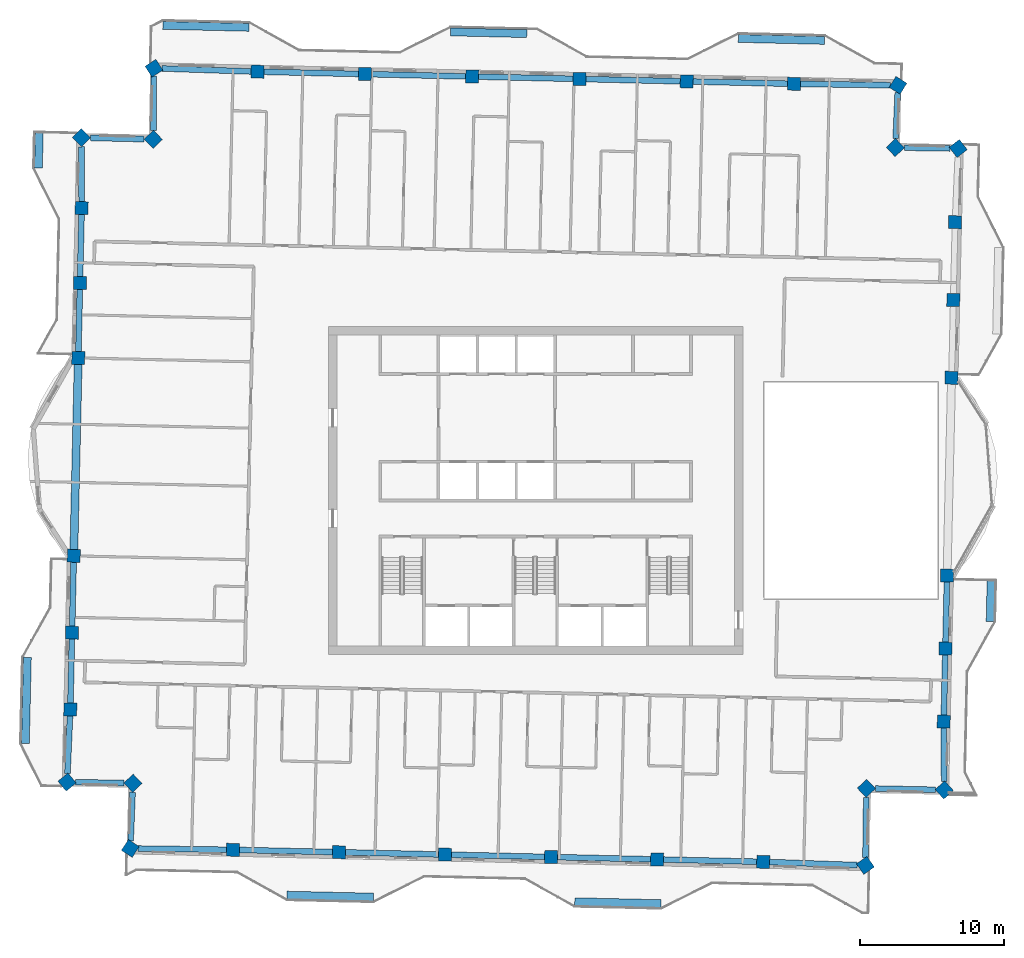
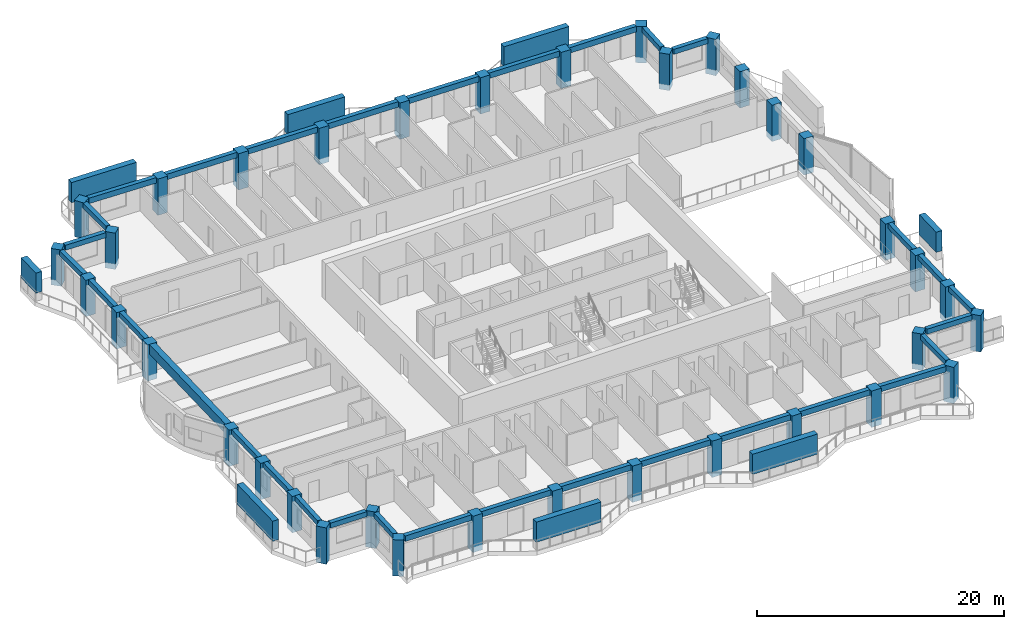
# One storey, part 1 of 15: 36 columns, 32 beams, 8 members.
"""IFC4 building model written with IfcOpenShell, lengths in metres."""

from ifc_helpers import new_model, si_unit, direction, frame, origin, origin_2d, place, context, subcontext, project, spatial, rectangle, extrude, material, material_profile, profile_set, type_object, element, save


model = new_model("IFC4")

# Units and contexts
model_context = context("Model", 3, precision=1e-05, world=origin(), true_north=direction((0.0, 1.0)))
body_context = subcontext(model_context, "Body", "Model", "MODEL_VIEW")
ifc_project = project(units=[si_unit("LENGTHUNIT", "METRE"), si_unit("AREAUNIT", "SQUARE_METRE"), si_unit("VOLUMEUNIT", "CUBIC_METRE"), si_unit("PLANEANGLEUNIT", "RADIAN"), si_unit("MASSUNIT", "GRAM", prefix="KILO")], contexts=[model_context])

# Site, building, storey
site_placement = place(None, origin())
site = spatial("IfcSite", under=ifc_project, at=site_placement, CompositionType="ELEMENT")
building_placement = place(site_placement, origin())
building = spatial("IfcBuilding", under=site, at=building_placement, Name="Mangrove Gate Tower", CompositionType="ELEMENT")
storey_placement = place(building_placement, frame((0.0, 0.0, 306.10009765625)))
storey = spatial("IfcBuildingStorey", under=building, at=storey_placement, Name="L78", CompositionType="ELEMENT", Elevation=306.10009765625)

# Columns
ifc_material_1 = material(Name="Concrete C50/60", Category="concrete")
ifc_material_profile_1 = material_profile(ifc_material_1, rectangle(XDim=0.89990234375, YDim=0.89990234375, at=origin_2d()))
ifc_profile_set_1 = profile_set([ifc_material_profile_1], Name="Concrete C50/60")
column_type = type_object("IfcColumnType", Name="Column RC 900x900 C50/60", PredefinedType="COLUMN", material=ifc_profile_set_1)
for number, where, z_axis, x_axis, name in (
    (1, (-32.09814453125, -4.53515625, -0.550048828125), (0.0, 0.0, 1.0), (-0.022679760793, -0.999742781144, 0.0), "Column L78 W06"),
    (2, (-32.218994140625, -9.875244140625, -0.550048828125), (0.0, 0.0, 1.0), (-0.022653360746, -0.999743379696, 0.0), "Column L78 W07"),
    (3, (-32.340087890625, -15.21533203125, -0.550048828125), (0.0, 0.0, 1.0), (-0.022746921185, -0.999741255314, 0.0), "Column L78 W08"),
    (4, (-32.564453125, -20.25927734375, -0.550048828125), (0.0, 0.0, 1.0), (0.63510539695, -0.772425488164, 0.0), "Column L78 W09"),
    (5, (-27.987548828125, -20.339111328125, -0.550048828125), (0.0, 0.0, 1.0), (0.690863130287, -0.722985570541, 0.0), "Column L78 W10"),
    (6, (-28.170166015625, -24.872802734375, -0.550048828125), (0.0, 0.0, 1.0), (0.836135337265, -0.548523197118, 0.0), "Column L78 S01"),
    (7, (-21.037841796875, -24.966064453125, -0.550048828125), (0.0, 0.0, 1.0), (0.999743338971, -0.022655157973, 0.0), "Column L78 S02"),
    (8, (-13.667724609375, -25.133056640625, -0.550048828125), (0.0, 0.0, 1.0), (0.999743338971, -0.022655157973, 0.0), "Column L78 S03"),
    (9, (-6.298828125, -25.300048828125, -0.550048828125), (0.0, 0.0, 1.0), (0.999743338971, -0.022655157973, 0.0), "Column L78 S04"),
    (10, (1.0712890625, -25.467041015625, -0.550048828125), (0.0, 0.0, 1.0), (0.999741800516, -0.02272294656, 0.0), "Column L78 S05"),
    (11, (8.440185546875, -25.635009765625, -0.550048828125), (0.0, 0.0, 1.0), (0.999741800516, -0.02272294656, 0.0), "Column L78 S06"),
    (12, (15.810302734375, -25.802001953125, -0.550048828125), (0.0, 0.0, 1.0), (0.999743373766, -0.022653622478, 0.0), "Column L78 S07"),
    (13, (22.912353515625, -26.050048828125, -0.550048828125), (0.0, 0.0, 1.0), (0.81992028728, 0.572477704812, 0.0), "Column L78 S08"),
    (14, (22.981201171875, -20.695556640625, -0.550048828125), (0.0, 0.0, 1.0), (0.722965976266, 0.690883635037, 0.0), "Column L78 E01"),
    (15, (28.390380859375, -20.80810546875, -0.550048828125), (0.0, 0.0, 1.0), (0.744004906603, 0.66817415316, 0.0), "Column L78 E02"),
    (16, (28.356201171875, -16.058837890625, -0.550048828125), (0.0, 0.0, 1.0), (0.022660985877, 0.999743206888, 0.0), "Column L78 E03"),
    (17, (28.47119140625, -10.98583984375, -0.550048828125), (0.0, 0.0, 1.0), (0.022660985877, 0.999743206888, 0.0), "Column L78 E04"),
    (18, (28.586181640625, -5.911865234375, -0.550048828125), (0.0, 0.0, 1.0), (0.022681592917, 0.99974273958, 0.0), "Column L78 E05"),
    (19, (28.898193359375, 7.835205078125, -0.550048828125), (0.0, 0.0, 1.0), (0.022704799818, 0.999742212805, 0.0), "Column L78 E06"),
    (20, (29.02099609375, 13.2421875, -0.550048828125), (0.0, 0.0, 1.0), (0.022652104431, 0.999743408163, 0.0), "Column L78 E07"),
    (21, (29.14306640625, 18.648193359375, -0.550048828125), (0.0, 0.0, 1.0), (0.022652104431, 0.999743408163, 0.0), "Column L78 E08"),
    (22, (29.360595703125, 23.76904296875, -0.550048828125), (0.0, 0.0, 1.0), (-0.613294984085, 0.789853950104, 0.0), "Column L78 E09"),
    (23, (24.99169921875, 23.834228515625, -0.550048828125), (0.0, 0.0, 1.0), (-0.690854032309, 0.722994264183, 0.0), "Column L78 E10"),
    (24, (25.1796875, 28.16162109375, -0.550048828125), (0.0, 0.0, 1.0), (-0.849493800932, 0.527598599484, 0.0), "Column L78 N01"),
    (25, (17.951904296875, 28.26318359375, -0.550048828125), (0.0, 0.0, 1.0), (-0.999743149141, 0.022663533403, 0.0), "Column L78 N02"),
    (26, (10.496826171875, 28.43212890625, -0.550048828125), (0.0, 0.0, 1.0), (-0.999741662484, 0.022729018737, 0.0), "Column L78 N03"),
    (27, (3.040771484375, 28.60205078125, -0.550048828125), (0.0, 0.0, 1.0), (-0.999741662484, 0.022729018737, 0.0), "Column L78 N04"),
    (28, (-4.414306640625, 28.77099609375, -0.550048828125), (0.0, 0.0, 1.0), (-0.999743149141, 0.022663533403, 0.0), "Column L78 N05"),
    (29, (-11.869140625, 28.940185546875, -0.550048828125), (0.0, 0.0, 1.0), (-0.999743149141, 0.022663533403, 0.0), "Column L78 N06"),
    (30, (-19.32421875, 29.109130859375, -0.550048828125), (0.0, 0.0, 1.0), (-0.999743149141, 0.022663533403, 0.0), "Column L78 N07"),
    (31, (-26.52685546875, 29.3486328125, -0.550048828125), (0.0, 0.0, 1.0), (-0.843037190886, -0.537855273082, 0.0), "Column L78 N08"),
    (32, (-26.572021484375, 24.404541015625, -0.550048828125), (0.0, 0.0, 1.0), (-0.723044060513, -0.690801915571, 0.0), "Column L78 W01"),
    (33, (-31.564453125, 24.524169921875, -0.550048828125), (0.0, 0.0, 1.0), (-0.708697722555, -0.70551225223, 0.0), "Column L78 W02"),
    (34, (-31.550048828125, 19.625732421875, -0.550048828125), (0.0, 0.0, 1.0), (-0.022655978068, -0.999743320387, 0.0), "Column L78 W03"),
    (35, (-31.668212890625, 14.418701171875, -0.550048828125), (0.0, 0.0, 1.0), (-0.022655978068, -0.999743320387, 0.0), "Column L78 W04"),
    (36, (-31.7861328125, 9.2119140625, -0.550048828125), (0.0, 0.0, 1.0), (-0.022680668131, -0.999742760561, 0.0), "Column L78 W05"),
):
    element("IfcColumn", number, at=place(storey_placement, frame(where, z_axis=z_axis, x_axis=x_axis)), inside=storey, type_object=column_type, Name=name, PredefinedType="COLUMN", context=body_context, shape_type="SweptSolid", body=[
        extrude(rectangle(XDim=0.89990234375, YDim=0.89990234375, at=origin_2d()), origin(), (0.0, 0.0, 1.0), 3.599853515625),
    ])

# Members
ifc_material_2 = material(Name="Planting on aluminium trellis", Category="aluminium")
ifc_material_profile_2 = material_profile(ifc_material_2, rectangle(XDim=0.550048828125, YDim=2.0, at=origin_2d()))
ifc_profile_set_2 = profile_set([ifc_material_profile_2], Name="Planting on aluminium trellis")
member_type = type_object("IfcMemberType", Name="Balcony greenery screen 550x2000", PredefinedType="USERDEFINED", material=ifc_profile_set_2)
member_1_placement = place(storey_placement, frame((31.580078125, -9.10595703125, 1.7998046875), z_axis=(0.022590224177, 0.999744808324, 0.0), x_axis=(-0.999744808324, 0.022590224177, 0.0)))
element("IfcMember", 37, at=member_1_placement, inside=storey, type_object=member_type, Name="GREEN SCREEN L78 E0.1", ObjectType="PLANTING", PredefinedType="USERDEFINED", context=body_context, shape_type="SweptSolid", body=[
    extrude(rectangle(XDim=0.550048828125, YDim=2.0, at=origin_2d()), origin(), (0.0, 0.0, 1.0), 2.874755859375),
])
for number, where, z_axis, x_axis, name in (
    (38, (14.080078125, 31.4169921875, 1.7998046875), (0.999743073592, -0.022666865795, 0.0), (0.022666865795, 0.999743073592, 0.0), "GREEN SCREEN L78 N0.1"),
    (39, (-25.909912109375, 32.323974609375, 1.7998046875), (0.999743073592, -0.022666865795, 0.0), (0.022666865795, 0.999743073592, 0.0), "GREEN SCREEN L78 N1.1"),
):
    element("IfcMember", number, at=place(storey_placement, frame(where, z_axis=z_axis, x_axis=x_axis)), inside=storey, type_object=member_type, Name=name, ObjectType="PLANTING", PredefinedType="USERDEFINED", context=body_context, shape_type="SweptSolid", body=[
        extrude(rectangle(XDim=0.550048828125, YDim=2.0, at=origin_2d()), origin(), (0.0, 0.0, 1.0), 5.999267578125),
    ])
member_2_placement = place(storey_placement, frame((-5.9150390625, 31.87109375, 1.7998046875), z_axis=(0.999738901878, -0.022850121899, 0.0), x_axis=(0.022850121899, 0.999738901878, 0.0)))
element("IfcMember", 40, at=member_2_placement, inside=storey, type_object=member_type, Name="GREEN SCREEN L78 N1.2", ObjectType="PLANTING", PredefinedType="USERDEFINED", context=body_context, shape_type="SweptSolid", body=[
    extrude(rectangle(XDim=0.550048828125, YDim=2.0, at=origin_2d()), origin(), (0.0, 0.0, 1.0), 5.299560546875),
])
member_3_placement = place(storey_placement, frame((-34.552978515625, 22.403076171875, 1.7998046875), z_axis=(0.02274801823, 0.999741230352, 0.0), x_axis=(-0.999741230352, 0.02274801823, 0.0)))
element("IfcMember", 41, at=member_3_placement, inside=storey, type_object=member_type, Name="GREEN SCREEN L78 W0.1", ObjectType="PLANTING", PredefinedType="USERDEFINED", context=body_context, shape_type="SweptSolid", body=[
    extrude(rectangle(XDim=0.550048828125, YDim=2.0, at=origin_2d()), origin(), (0.0, 0.0, 1.0), 2.500732421875),
])
member_4_placement = place(storey_placement, frame((-35.4599609375, -17.5859375, 1.7998046875), z_axis=(0.022665943652, 0.999743094499, 0.0), x_axis=(-0.999743094499, 0.022665943652, 0.0)))
element("IfcMember", 42, at=member_4_placement, inside=storey, type_object=member_type, Name="GREEN SCREEN L78 W1.1", ObjectType="PLANTING", PredefinedType="USERDEFINED", context=body_context, shape_type="SweptSolid", body=[
    extrude(rectangle(XDim=0.550048828125, YDim=2.0, at=origin_2d()), origin(), (0.0, 0.0, 1.0), 5.99951171875),
])
for number, where, z_axis, x_axis, name in (
    (43, (-17.280029296875, -28.116943359375, 1.7998046875), (0.999743178102, -0.022662255828, 0.0), (0.022662255828, 0.999743178102, 0.0), "GREEN SCREEN L78 S0.1"),
    (44, (2.715087890625, -28.571044921875, 1.7998046875), (0.999743178102, -0.022662255828, 0.0), (0.022662255828, 0.999743178102, 0.0), "GREEN SCREEN L78 S1.1"),
):
    element("IfcMember", number, at=place(storey_placement, frame(where, z_axis=z_axis, x_axis=x_axis)), inside=storey, type_object=member_type, Name=name, ObjectType="PLANTING", PredefinedType="USERDEFINED", context=body_context, shape_type="SweptSolid", body=[
        extrude(rectangle(XDim=0.550048828125, YDim=2.0, at=origin_2d()), origin(), (0.0, 0.0, 1.0), 6.00048828125),
    ])

# Beams
ifc_material_3 = material(Name="Concrete C50/60", Category="concrete")
ifc_material_profile_3 = material_profile(ifc_material_3, rectangle(XDim=0.39990234375, YDim=0.5, at=origin_2d()))
ifc_profile_set_3 = profile_set([ifc_material_profile_3], Name="Concrete C50/60")
beam_type_1 = type_object("IfcBeamType", Name="Edge beam RC 400x500 C50/60", PredefinedType="BEAM", material=ifc_profile_set_3)
for number, where, z_axis, x_axis, name in (
    (45, (-32.1083984375, -4.985107421875, 2.7998046875), (-0.022647733269, -0.999743507195, 0.0), (0.999743507195, -0.022647733269, 0.0), "Edge beam L78 00"),
    (46, (-32.229248046875, -10.3251953125, 2.7998046875), (-0.022647733269, -0.999743507195, 0.0), (0.999743507195, -0.022647733269, 0.0), "Edge beam L78 01"),
):
    element("IfcBeam", number, at=place(storey_placement, frame(where, z_axis=z_axis, x_axis=x_axis)), inside=storey, type_object=beam_type_1, Name=name, PredefinedType="BEAM", context=body_context, shape_type="SweptSolid", body=[
        extrude(rectangle(XDim=0.39990234375, YDim=0.5, at=origin_2d()), origin(), (0.0, 0.0, 1.0), 4.44140625),
    ])
beam_1_placement = place(storey_placement, frame((-32.360107421875, -15.664794921875, 2.7998046875), z_axis=(-0.044442643411, -0.99901193759, 0.0), x_axis=(0.99901193759, -0.044442643411, 0.0)))
element("IfcBeam", 47, at=beam_1_placement, inside=storey, type_object=beam_type_1, Name="Edge beam L78 02", PredefinedType="BEAM", context=body_context, shape_type="SweptSolid", body=[
    extrude(rectangle(XDim=0.39990234375, YDim=0.5, at=origin_2d()), origin(), (0.0, 0.0, 1.0), 3.99365234375),
])
beam_2_placement = place(storey_placement, frame((-31.973388671875, -20.26953125, 2.7998046875), z_axis=(0.99984732702, -0.017473484198, 0.0), x_axis=(0.017473484198, 0.99984732702, 0.0)))
element("IfcBeam", 48, at=beam_2_placement, inside=storey, type_object=beam_type_1, Name="Edge beam L78 03", PredefinedType="BEAM", context=body_context, shape_type="SweptSolid", body=[
    extrude(rectangle(XDim=0.39990234375, YDim=0.5, at=origin_2d()), origin(), (0.0, 0.0, 1.0), 3.353271484375),
])
beam_3_placement = place(storey_placement, frame((-28.012939453125, -20.964111328125, 2.7998046875), z_axis=(-0.04022135788, -0.999190793778, 0.0), x_axis=(0.999190793778, -0.04022135788, 0.0)))
element("IfcBeam", 49, at=beam_3_placement, inside=storey, type_object=beam_type_1, Name="Edge beam L78 04", PredefinedType="BEAM", context=body_context, shape_type="SweptSolid", body=[
    extrude(rectangle(XDim=0.39990234375, YDim=0.5, at=origin_2d()), origin(), (0.0, 0.0, 1.0), 3.386962890625),
])
beam_4_placement = place(storey_placement, frame((22.91943359375, -25.496337890625, 2.7998046875), z_axis=(0.012819459325, 0.999917827355, 0.0), x_axis=(-0.999917827355, 0.012819459325, 0.0)))
element("IfcBeam", 50, at=beam_4_placement, inside=storey, type_object=beam_type_1, Name="Edge beam L78 12", PredefinedType="BEAM", context=body_context, shape_type="SweptSolid", body=[
    extrude(rectangle(XDim=0.39990234375, YDim=0.5, at=origin_2d()), origin(), (0.0, 0.0, 1.0), 4.170654296875),
])
beam_5_placement = place(storey_placement, frame((23.6162109375, -20.708984375, 2.7998046875), z_axis=(0.99978402349, -0.02078235727, 0.0), x_axis=(0.02078235727, 0.99978402349, 0.0)))
element("IfcBeam", 51, at=beam_5_placement, inside=storey, type_object=beam_type_1, Name="Edge beam L78 13", PredefinedType="BEAM", context=body_context, shape_type="SweptSolid", body=[
    extrude(rectangle(XDim=0.39990234375, YDim=0.5, at=origin_2d()), origin(), (0.0, 0.0, 1.0), 4.15869140625),
])
beam_6_placement = place(storey_placement, frame((28.385986328125, -20.207275390625, 2.7998046875), z_axis=(-0.007195483115, 0.999974112176, 0.0), x_axis=(-0.999974112176, -0.007195483115, 0.0)))
element("IfcBeam", 52, at=beam_6_placement, inside=storey, type_object=beam_type_1, Name="Edge beam L78 14", PredefinedType="BEAM", context=body_context, shape_type="SweptSolid", body=[
    extrude(rectangle(XDim=0.39990234375, YDim=0.5, at=origin_2d()), origin(), (0.0, 0.0, 1.0), 3.6982421875),
])
beam_7_placement = place(storey_placement, frame((28.3662109375, -15.60888671875, 2.7998046875), z_axis=(0.022693504831, 0.999742469258, 0.0), x_axis=(-0.999742469258, 0.022693504831, 0.0)))
element("IfcBeam", 53, at=beam_7_placement, inside=storey, type_object=beam_type_1, Name="Edge beam L78 15", PredefinedType="BEAM", context=body_context, shape_type="SweptSolid", body=[
    extrude(rectangle(XDim=0.39990234375, YDim=0.5, at=origin_2d()), origin(), (0.0, 0.0, 1.0), 4.174072265625),
])
beam_8_placement = place(storey_placement, frame((28.481201171875, -10.535888671875, 2.7998046875), z_axis=(0.022686871943, 0.999742619798, 0.0), x_axis=(-0.999742619798, 0.022686871943, 0.0)))
element("IfcBeam", 54, at=beam_8_placement, inside=storey, type_object=beam_type_1, Name="Edge beam L78 16", PredefinedType="BEAM", context=body_context, shape_type="SweptSolid", body=[
    extrude(rectangle(XDim=0.39990234375, YDim=0.5, at=origin_2d()), origin(), (0.0, 0.0, 1.0), 4.17529296875),
])
beam_9_placement = place(storey_placement, frame((28.7841796875, 23.777587890625, 2.7998046875), z_axis=(-0.999888927415, 0.014904121331, 0.0), x_axis=(-0.014904121331, -0.999888927415, 0.0)))
element("IfcBeam", 55, at=beam_9_placement, inside=storey, type_object=beam_type_1, Name="Edge beam L78 21", PredefinedType="BEAM", context=body_context, shape_type="SweptSolid", body=[
    extrude(rectangle(XDim=0.39990234375, YDim=0.5, at=origin_2d()), origin(), (0.0, 0.0, 1.0), 3.161376953125),
])
beam_10_placement = place(storey_placement, frame((25.018798828125, 24.457275390625, 2.7998046875), z_axis=(0.043370835095, 0.999059042631, 0.0), x_axis=(-0.999059042631, 0.043370835095, 0.0)))
element("IfcBeam", 56, at=beam_10_placement, inside=storey, type_object=beam_type_1, Name="Edge beam L78 22", PredefinedType="BEAM", context=body_context, shape_type="SweptSolid", body=[
    extrude(rectangle(XDim=0.39990234375, YDim=0.5, at=origin_2d()), origin(), (0.0, 0.0, 1.0), 3.191650390625),
])
beam_11_placement = place(storey_placement, frame((-26.531982421875, 28.811767578125, 2.7998046875), z_axis=(-0.00910814931, -0.999958519948, 0.0), x_axis=(0.999958519948, -0.00910814931, 0.0)))
element("IfcBeam", 57, at=beam_11_placement, inside=storey, type_object=beam_type_1, Name="Edge beam L78 30", PredefinedType="BEAM", context=body_context, shape_type="SweptSolid", body=[
    extrude(rectangle(XDim=0.39990234375, YDim=0.5, at=origin_2d()), origin(), (0.0, 0.0, 1.0), 3.779541015625),
])
beam_12_placement = place(storey_placement, frame((-27.20751953125, 24.419921875, 2.7998046875), z_axis=(-0.999713815078, 0.023922540459, 0.0), x_axis=(-0.023922540459, -0.999713815078, 0.0)))
element("IfcBeam", 58, at=beam_12_placement, inside=storey, type_object=beam_type_1, Name="Edge beam L78 31", PredefinedType="BEAM", context=body_context, shape_type="SweptSolid", body=[
    extrude(rectangle(XDim=0.39990234375, YDim=0.5, at=origin_2d()), origin(), (0.0, 0.0, 1.0), 3.735107421875),
])
beam_13_placement = place(storey_placement, frame((-31.562744140625, 23.890869140625, 2.7998046875), z_axis=(0.002943798841, -0.999995667015, 0.0), x_axis=(0.999995667015, 0.002943798841, 0.0)))
element("IfcBeam", 59, at=beam_13_placement, inside=storey, type_object=beam_type_1, Name="Edge beam L78 32", PredefinedType="BEAM", context=body_context, shape_type="SweptSolid", body=[
    extrude(rectangle(XDim=0.39990234375, YDim=0.5, at=origin_2d()), origin(), (0.0, 0.0, 1.0), 3.81494140625),
])
for number, where, z_axis, x_axis, name in (
    (60, (-31.560302734375, 19.176025390625, 2.7998046875), (-0.02266605661, -0.999743091938, 0.0), (0.999743091938, -0.02266605661, 0.0), "Edge beam L78 33"),
    (61, (-31.67822265625, 13.968994140625, 2.7998046875), (-0.02266605661, -0.999743091938, 0.0), (0.999743091938, -0.02266605661, 0.0), "Edge beam L78 34"),
):
    element("IfcBeam", number, at=place(storey_placement, frame(where, z_axis=z_axis, x_axis=x_axis)), inside=storey, type_object=beam_type_1, Name=name, PredefinedType="BEAM", context=body_context, shape_type="SweptSolid", body=[
        extrude(rectangle(XDim=0.39990234375, YDim=0.5, at=origin_2d()), origin(), (0.0, 0.0, 1.0), 4.30859375),
    ])
ifc_material_4 = material(Name="Concrete C50/60", Category="concrete")
ifc_material_profile_4 = material_profile(ifc_material_4, rectangle(XDim=0.39990234375, YDim=0.550048828125, at=origin_2d()))
ifc_profile_set_4 = profile_set([ifc_material_profile_4], Name="Concrete C50/60")
beam_type_2 = type_object("IfcBeamType", Name="Edge beam RC 400x550 C50/60", PredefinedType="BEAM", material=ifc_profile_set_4)
beam_14_placement = place(storey_placement, frame((-27.636474609375, -24.879638671875, 2.77490234375), z_axis=(0.999914166256, -0.01310191284, 0.0), x_axis=(0.01310191284, 0.999914166256, 0.0)))
element("IfcBeam", 62, at=beam_14_placement, inside=storey, type_object=beam_type_2, Name="Edge beam L78 05", PredefinedType="BEAM", context=body_context, shape_type="SweptSolid", body=[
    extrude(rectangle(XDim=0.39990234375, YDim=0.550048828125, at=origin_2d()), origin(), (0.0, 0.0, 1.0), 6.149169921875),
])
beam_15_placement = place(storey_placement, frame((-20.587890625, -24.976318359375, 2.77490234375), z_axis=(0.999743818188, -0.022634000865, 0.0), x_axis=(0.022634000865, 0.999743818188, 0.0)))
element("IfcBeam", 63, at=beam_15_placement, inside=storey, type_object=beam_type_2, Name="Edge beam L78 06", PredefinedType="BEAM", context=body_context, shape_type="SweptSolid", body=[
    extrude(rectangle(XDim=0.39990234375, YDim=0.550048828125, at=origin_2d()), origin(), (0.0, 0.0, 1.0), 6.471923828125),
])
beam_16_placement = place(storey_placement, frame((-13.218017578125, -25.143310546875, 2.77490234375), z_axis=(0.999742886289, -0.022675125468, 0.0), x_axis=(0.022675125468, 0.999742886289, 0.0)))
element("IfcBeam", 64, at=beam_16_placement, inside=storey, type_object=beam_type_2, Name="Edge beam L78 07", PredefinedType="BEAM", context=body_context, shape_type="SweptSolid", body=[
    extrude(rectangle(XDim=0.39990234375, YDim=0.550048828125, at=origin_2d()), origin(), (0.0, 0.0, 1.0), 6.470947265625),
])
beam_17_placement = place(storey_placement, frame((-5.848876953125, -25.310302734375, 2.77490234375), z_axis=(0.999742963866, -0.022671704825, 0.0), x_axis=(0.022671704825, 0.999742963866, 0.0)))
element("IfcBeam", 65, at=beam_17_placement, inside=storey, type_object=beam_type_2, Name="Edge beam L78 08", PredefinedType="BEAM", context=body_context, shape_type="SweptSolid", body=[
    extrude(rectangle(XDim=0.39990234375, YDim=0.550048828125, at=origin_2d()), origin(), (0.0, 0.0, 1.0), 6.471923828125),
])
beam_18_placement = place(storey_placement, frame((1.52099609375, -25.477294921875, 2.77490234375), z_axis=(0.999740314026, -0.022788253818, 0.0), x_axis=(0.022788253818, 0.999740314026, 0.0)))
element("IfcBeam", 66, at=beam_18_placement, inside=storey, type_object=beam_type_2, Name="Edge beam L78 09", PredefinedType="BEAM", context=body_context, shape_type="SweptSolid", body=[
    extrude(rectangle(XDim=0.39990234375, YDim=0.550048828125, at=origin_2d()), origin(), (0.0, 0.0, 1.0), 6.470947265625),
])
beam_19_placement = place(storey_placement, frame((8.89013671875, -25.645263671875, 2.77490234375), z_axis=(0.999742963866, -0.022671704825, 0.0), x_axis=(0.022671704825, 0.999742963866, 0.0)))
element("IfcBeam", 67, at=beam_19_placement, inside=storey, type_object=beam_type_2, Name="Edge beam L78 10", PredefinedType="BEAM", context=body_context, shape_type="SweptSolid", body=[
    extrude(rectangle(XDim=0.39990234375, YDim=0.550048828125, at=origin_2d()), origin(), (0.0, 0.0, 1.0), 6.471923828125),
])
beam_20_placement = place(storey_placement, frame((16.260009765625, -25.81787109375, 2.77490234375), z_axis=(0.999390915995, -0.034896948678, 0.0), x_axis=(0.034896948678, 0.999390915995, 0.0)))
element("IfcBeam", 68, at=beam_20_placement, inside=storey, type_object=beam_type_2, Name="Edge beam L78 11", PredefinedType="BEAM", context=body_context, shape_type="SweptSolid", body=[
    extrude(rectangle(XDim=0.39990234375, YDim=0.550048828125, at=origin_2d()), origin(), (0.0, 0.0, 1.0), 6.093505859375),
])
beam_21_placement = place(storey_placement, frame((24.654541015625, 28.169189453125, 2.77490234375), z_axis=(-0.999901770522, 0.014016037469, 0.0), x_axis=(-0.014016037469, -0.999901770522, 0.0)))
element("IfcBeam", 69, at=beam_21_placement, inside=storey, type_object=beam_type_2, Name="Edge beam L78 23", PredefinedType="BEAM", context=body_context, shape_type="SweptSolid", body=[
    extrude(rectangle(XDim=0.39990234375, YDim=0.550048828125, at=origin_2d()), origin(), (0.0, 0.0, 1.0), 6.25341796875),
])
beam_22_placement = place(storey_placement, frame((17.501953125, 28.273193359375, 2.77490234375), z_axis=(-0.999742872527, 0.022675732193, 0.0), x_axis=(-0.022675732193, -0.999742872527, 0.0)))
element("IfcBeam", 70, at=beam_22_placement, inside=storey, type_object=beam_type_2, Name="Edge beam L78 24", PredefinedType="BEAM", context=body_context, shape_type="SweptSolid", body=[
    extrude(rectangle(XDim=0.39990234375, YDim=0.550048828125, at=origin_2d()), origin(), (0.0, 0.0, 1.0), 6.556884765625),
])
beam_23_placement = place(storey_placement, frame((10.046875, 28.4423828125, 2.77490234375), z_axis=(-0.999740411322, 0.022783984946, 0.0), x_axis=(-0.022783984946, -0.999740411322, 0.0)))
element("IfcBeam", 71, at=beam_23_placement, inside=storey, type_object=beam_type_2, Name="Edge beam L78 25", PredefinedType="BEAM", context=body_context, shape_type="SweptSolid", body=[
    extrude(rectangle(XDim=0.39990234375, YDim=0.550048828125, at=origin_2d()), origin(), (0.0, 0.0, 1.0), 6.557861328125),
])
beam_24_placement = place(storey_placement, frame((2.5908203125, 28.6123046875, 2.77490234375), z_axis=(-0.999742872527, 0.022675732193, 0.0), x_axis=(-0.022675732193, -0.999742872527, 0.0)))
element("IfcBeam", 72, at=beam_24_placement, inside=storey, type_object=beam_type_2, Name="Edge beam L78 26", PredefinedType="BEAM", context=body_context, shape_type="SweptSolid", body=[
    extrude(rectangle(XDim=0.39990234375, YDim=0.550048828125, at=origin_2d()), origin(), (0.0, 0.0, 1.0), 6.556884765625),
])
beam_25_placement = place(storey_placement, frame((-4.864013671875, 28.78125, 2.77490234375), z_axis=(-0.999742891672, 0.022674888124, 0.0), x_axis=(-0.022674888124, -0.999742891672, 0.0)))
element("IfcBeam", 73, at=beam_25_placement, inside=storey, type_object=beam_type_2, Name="Edge beam L78 27", PredefinedType="BEAM", context=body_context, shape_type="SweptSolid", body=[
    extrude(rectangle(XDim=0.39990234375, YDim=0.550048828125, at=origin_2d()), origin(), (0.0, 0.0, 1.0), 6.55712890625),
])
beam_26_placement = place(storey_placement, frame((-12.319091796875, 28.9501953125, 2.77490234375), z_axis=(-0.999742872527, 0.022675732193, 0.0), x_axis=(-0.022675732193, -0.999742872527, 0.0)))
element("IfcBeam", 74, at=beam_26_placement, inside=storey, type_object=beam_type_2, Name="Edge beam L78 28", PredefinedType="BEAM", context=body_context, shape_type="SweptSolid", body=[
    extrude(rectangle(XDim=0.39990234375, YDim=0.550048828125, at=origin_2d()), origin(), (0.0, 0.0, 1.0), 6.556884765625),
])
beam_27_placement = place(storey_placement, frame((-19.77392578125, 29.1240234375, 2.77490234375), z_axis=(-0.999446955482, 0.033253318297, 0.0), x_axis=(-0.033253318297, -0.999446955482, 0.0)))
element("IfcBeam", 75, at=beam_27_placement, inside=storey, type_object=beam_type_2, Name="Edge beam L78 29", PredefinedType="BEAM", context=body_context, shape_type="SweptSolid", body=[
    extrude(rectangle(XDim=0.39990234375, YDim=0.550048828125, at=origin_2d()), origin(), (0.0, 0.0, 1.0), 6.211181640625),
])
ifc_material_5 = material(Name="Concrete C50/60", Category="concrete")
ifc_material_profile_5 = material_profile(ifc_material_5, rectangle(XDim=0.550048828125, YDim=0.949951171875, at=origin_2d()))
ifc_profile_set_5 = profile_set([ifc_material_profile_5], Name="Concrete C50/60")
beam_type_3 = type_object("IfcBeamType", Name="Edge beam RC 550x950 C50/60", PredefinedType="BEAM", material=ifc_profile_set_5)
beam_28_placement = place(storey_placement, frame((-31.79638671875, 8.761962890625, 2.574951171875), z_axis=(-0.022684290942, -0.999742678365, 0.0), x_axis=(0.999742678365, -0.022684290942, 0.0)))
element("IfcBeam", 76, at=beam_28_placement, inside=storey, type_object=beam_type_3, Name="Edge beam L78 35", PredefinedType="BEAM", context=body_context, shape_type="SweptSolid", body=[
    extrude(rectangle(XDim=0.550048828125, YDim=0.949951171875, at=origin_2d()), origin(), (0.0, 0.0, 1.0), 12.8505859375),
])

save(model, "model.ifc")
